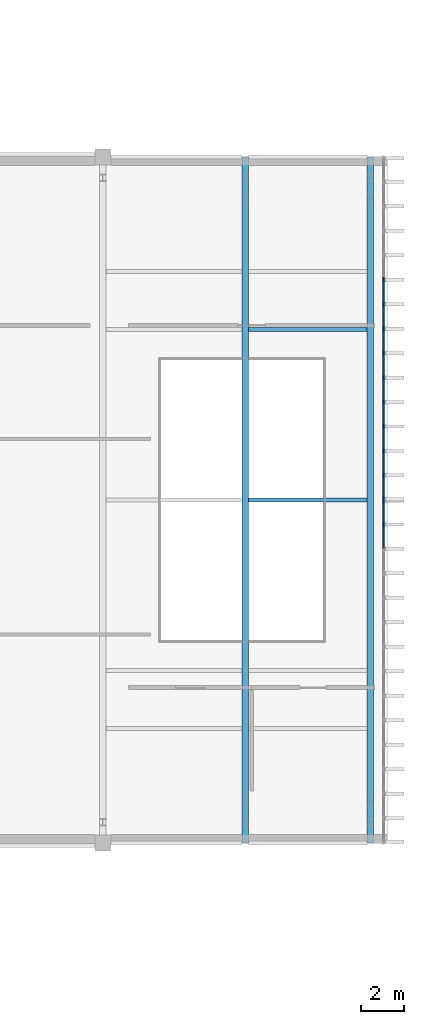
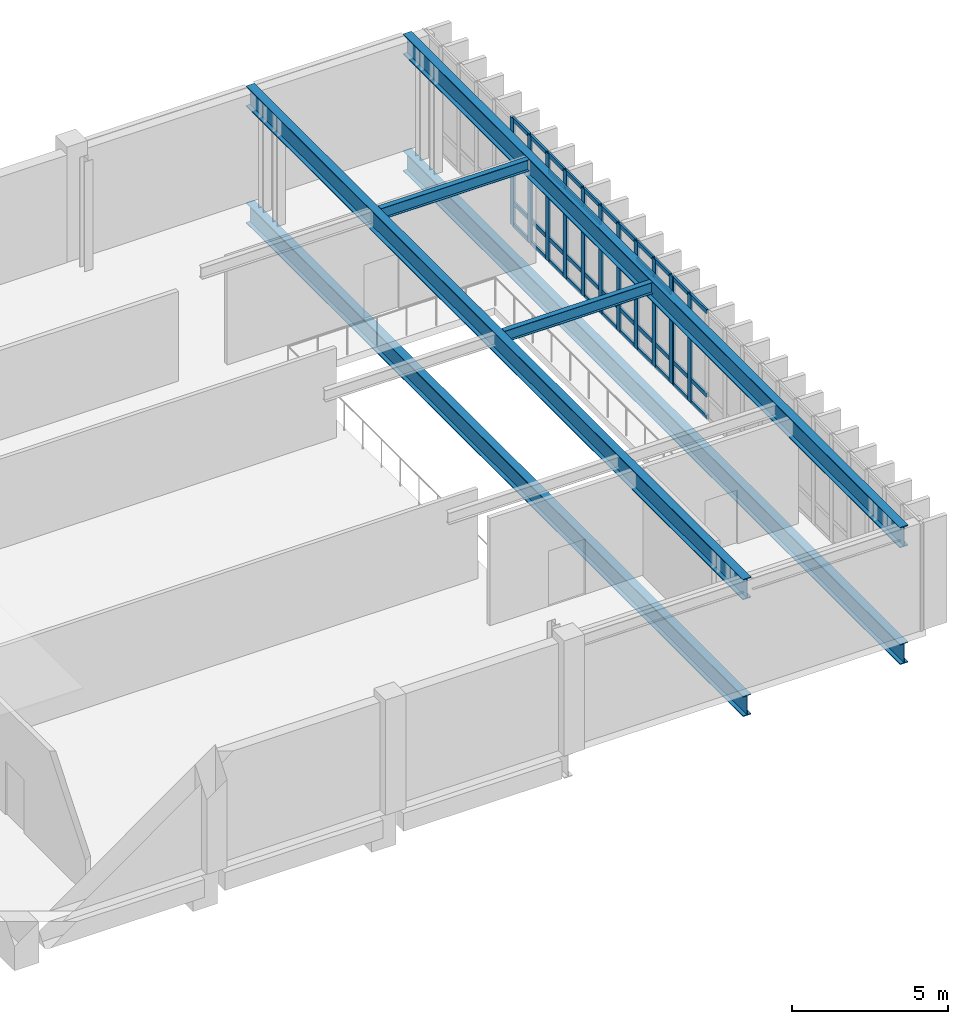
# One storey, part 6 of 23: 56 members, 6 beams, 2 elements without a shape of their own.
"""IFC4 building model written with IfcOpenShell, lengths in metres."""

from ifc_helpers import new_model, si_unit, direction, frame, origin, origin_2d, place, context, subcontext, project, spatial, rectangle, i_section, extrude, material, layer, layer_set, material_profile, profile_set, type_object, element, aggregate, save


model = new_model("IFC4")

# Units and contexts
model_context = context("Model", 3, precision=1e-05, world=origin(), true_north=direction((0.0, 1.0)))
body_context = subcontext(model_context, "Body", "Model", "MODEL_VIEW")
ifc_project = project(units=[si_unit("LENGTHUNIT", "METRE"), si_unit("AREAUNIT", "SQUARE_METRE"), si_unit("VOLUMEUNIT", "CUBIC_METRE"), si_unit("PLANEANGLEUNIT", "RADIAN"), si_unit("MASSUNIT", "GRAM", prefix="KILO")], contexts=[model_context])

# Site, building, storey
site_placement = place(None, origin())
site = spatial("IfcSite", under=ifc_project, at=site_placement, CompositionType="ELEMENT")
building_placement = place(site_placement, origin())
building = spatial("IfcBuilding", under=site, at=building_placement, Name="Kelarvand Opera House", CompositionType="ELEMENT")
storey_placement = place(building_placement, frame((0.0, 0.0, 19.5)))
storey = spatial("IfcBuildingStorey", under=building, at=storey_placement, Name="L04", CompositionType="ELEMENT", Elevation=19.5)

# Curtain wall, members
ifc_material_1 = material(Name="Thermally broken aluminium and low-E glazing", Category="aluminium")
ifc_layer = layer(ifc_material_1, 0.219970703125, Name="Thermally broken aluminium and low-E glazing", Category="aluminium")
ifc_layer_set = layer_set([ifc_layer], Name="Thermally broken aluminium and low-E glazing")
curtain_wall_type = type_object("IfcCurtainWallType", Name="Unitised Low-E Curtain Wall 15886x4200 Mod 1150 CWF-07", PredefinedType="USERDEFINED", material=ifc_layer_set)
curtain_wall_1_placement = place(storey_placement, origin())
curtain_wall_1 = element("IfcCurtainWall", 1, at=curtain_wall_1_placement, inside=storey, type_object=curtain_wall_type, Name="V1 L04 Curtain Wall CWF-07 (25)", ObjectType="UNITISED CURTAIN WALL", PredefinedType="USERDEFINED")
ifc_material_2 = material(Name="Thermally broken anodised aluminium", Category="aluminium")
ifc_material_profile_1 = material_profile(ifc_material_2, rectangle(XDim=0.074951171875, YDim=0.219970703125, at=origin_2d()), Name="ALU MULLION 75x220", Category="aluminium")
ifc_profile_set_1 = profile_set([ifc_material_profile_1], Name="Thermally broken anodised aluminium")
member_type_1 = type_object("IfcMemberType", Name="Curtain Wall Mullion 75x220 Heavy Plaza", PredefinedType="MULLION", material=ifc_profile_set_1)
member_1_placement = place(storey_placement, frame((154.820068359375, 72.71630859375, 0.0), z_axis=(0.0, 0.0, 1.0), x_axis=(1.0, 0.0, 0.0)))
member_1 = element("IfcMember", 2, at=member_1_placement, type_object=member_type_1, Name="CWF-07 mullion 6", PredefinedType="MULLION", context=body_context, shape_type="SweptSolid", body=[
    extrude(rectangle(XDim=0.074951171875, YDim=0.219970703125, at=origin_2d()), origin(), (0.0, 0.0, 1.0), 4.199951171875),
])
member_2_placement = place(storey_placement, frame((154.820068359375, 71.581787109375, 0.0), z_axis=(0.0, 0.0, 1.0), x_axis=(1.0, 0.0, 0.0)))
member_2 = element("IfcMember", 3, at=member_2_placement, type_object=member_type_1, Name="CWF-07 mullion 7", PredefinedType="MULLION", context=body_context, shape_type="SweptSolid", body=[
    extrude(rectangle(XDim=0.074951171875, YDim=0.219970703125, at=origin_2d()), origin(), (0.0, 0.0, 1.0), 4.199951171875),
])
member_3_placement = place(storey_placement, frame((154.820068359375, 70.447021484375, 0.0), z_axis=(0.0, 0.0, 1.0), x_axis=(1.0, 0.0, 0.0)))
member_3 = element("IfcMember", 4, at=member_3_placement, type_object=member_type_1, Name="CWF-07 mullion 8", PredefinedType="MULLION", context=body_context, shape_type="SweptSolid", body=[
    extrude(rectangle(XDim=0.074951171875, YDim=0.219970703125, at=origin_2d()), origin(), (0.0, 0.0, 1.0), 4.199951171875),
])
member_4_placement = place(storey_placement, frame((154.820068359375, 69.312255859375, 0.0), z_axis=(0.0, 0.0, 1.0), x_axis=(1.0, 0.0, 0.0)))
member_4 = element("IfcMember", 5, at=member_4_placement, type_object=member_type_1, Name="CWF-07 mullion 9", PredefinedType="MULLION", context=body_context, shape_type="SweptSolid", body=[
    extrude(rectangle(XDim=0.074951171875, YDim=0.219970703125, at=origin_2d()), origin(), (0.0, 0.0, 1.0), 4.199951171875),
])
member_5_placement = place(storey_placement, frame((154.820068359375, 68.177490234375, 0.0), z_axis=(0.0, 0.0, 1.0), x_axis=(1.0, 0.0, 0.0)))
member_5 = element("IfcMember", 6, at=member_5_placement, type_object=member_type_1, Name="CWF-07 mullion 10", PredefinedType="MULLION", context=body_context, shape_type="SweptSolid", body=[
    extrude(rectangle(XDim=0.074951171875, YDim=0.219970703125, at=origin_2d()), origin(), (0.0, 0.0, 1.0), 4.199951171875),
])
member_6_placement = place(storey_placement, frame((154.820068359375, 67.04296875, 0.0), z_axis=(0.0, 0.0, 1.0), x_axis=(1.0, 0.0, 0.0)))
member_6 = element("IfcMember", 7, at=member_6_placement, type_object=member_type_1, Name="CWF-07 mullion 11", PredefinedType="MULLION", context=body_context, shape_type="SweptSolid", body=[
    extrude(rectangle(XDim=0.074951171875, YDim=0.219970703125, at=origin_2d()), origin(), (0.0, 0.0, 1.0), 4.199951171875),
])
member_7_placement = place(storey_placement, frame((154.820068359375, 65.908203125, 0.0), z_axis=(0.0, 0.0, 1.0), x_axis=(1.0, 0.0, 0.0)))
member_7 = element("IfcMember", 8, at=member_7_placement, type_object=member_type_1, Name="CWF-07 mullion 12", PredefinedType="MULLION", context=body_context, shape_type="SweptSolid", body=[
    extrude(rectangle(XDim=0.074951171875, YDim=0.219970703125, at=origin_2d()), origin(), (0.0, 0.0, 1.0), 4.199951171875),
])
member_8_placement = place(storey_placement, frame((154.820068359375, 64.7734375, 0.0), z_axis=(0.0, 0.0, 1.0), x_axis=(1.0, 0.0, 0.0)))
member_8 = element("IfcMember", 9, at=member_8_placement, type_object=member_type_1, Name="CWF-07 mullion 13", PredefinedType="MULLION", context=body_context, shape_type="SweptSolid", body=[
    extrude(rectangle(XDim=0.074951171875, YDim=0.219970703125, at=origin_2d()), origin(), (0.0, 0.0, 1.0), 4.199951171875),
])
member_9_placement = place(storey_placement, frame((154.820068359375, 63.638671875, 0.0), z_axis=(0.0, 0.0, 1.0), x_axis=(1.0, 0.0, 0.0)))
member_9 = element("IfcMember", 10, at=member_9_placement, type_object=member_type_1, Name="CWF-07 mullion 14", PredefinedType="MULLION", context=body_context, shape_type="SweptSolid", body=[
    extrude(rectangle(XDim=0.074951171875, YDim=0.219970703125, at=origin_2d()), origin(), (0.0, 0.0, 1.0), 4.199951171875),
])
member_10_placement = place(storey_placement, frame((154.820068359375, 62.54150390625, 0.0), z_axis=(0.0, 0.0, 1.0), x_axis=(1.0, 0.0, 0.0)))
member_10 = element("IfcMember", 11, at=member_10_placement, type_object=member_type_1, Name="CWF-07 mullion 15", PredefinedType="MULLION", context=body_context, shape_type="SweptSolid", body=[
    extrude(rectangle(XDim=0.074951171875, YDim=0.219970703125, at=origin_2d()), origin(), (0.0, 0.0, 1.0), 4.199951171875),
])

curtain_wall_2_placement = place(storey_placement, origin())
curtain_wall_2 = element("IfcCurtainWall", 12, at=curtain_wall_2_placement, inside=storey, type_object=curtain_wall_type, Name="V1 L04 Curtain Wall CWF-07 (26)", ObjectType="UNITISED CURTAIN WALL", PredefinedType="USERDEFINED")
member_11_placement = place(storey_placement, frame((154.820068359375, 62.46240234375, 0.0), z_axis=(0.0, 0.0, 1.0), x_axis=(1.0, 0.0, 0.0)))
member_11 = element("IfcMember", 13, at=member_11_placement, type_object=member_type_1, Name="CWF-07 mullion 1", PredefinedType="MULLION", context=body_context, shape_type="SweptSolid", body=[
    extrude(rectangle(XDim=0.074951171875, YDim=0.219970703125, at=origin_2d()), origin(), (0.0, 0.0, 1.0), 4.199951171875),
])
member_12_placement = place(storey_placement, frame((154.820068359375, 61.364990234375, 0.0), z_axis=(0.0, 0.0, 1.0), x_axis=(1.0, 0.0, 0.0)))
member_12 = element("IfcMember", 14, at=member_12_placement, type_object=member_type_1, Name="CWF-07 mullion 2", PredefinedType="MULLION", context=body_context, shape_type="SweptSolid", body=[
    extrude(rectangle(XDim=0.074951171875, YDim=0.219970703125, at=origin_2d()), origin(), (0.0, 0.0, 1.0), 4.199951171875),
])

# Member
ifc_material_profile_2 = material_profile(ifc_material_2, rectangle(XDim=0.074951171875, YDim=0.159912109375, at=origin_2d()), Name="ALU TRANSOM 75x160", Category="aluminium")
ifc_profile_set_2 = profile_set([ifc_material_profile_2], Name="Thermally broken anodised aluminium")
member_type_2 = type_object("IfcMemberType", Name="Curtain Wall Transom 75x160 Heavy Plaza", PredefinedType="USERDEFINED", material=ifc_profile_set_2)
member_13_placement = place(storey_placement, frame((154.820068359375, 72.678955078125, 0.03759765625), z_axis=(0.0, -1.0, 0.0), x_axis=(1.0, 0.0, 0.0)))
member_13 = element("IfcMember", 15, at=member_13_placement, type_object=member_type_2, Name="CWF-07 transom 6.1", ObjectType="TRANSOM", PredefinedType="USERDEFINED", context=body_context, shape_type="SweptSolid", body=[
    extrude(rectangle(XDim=0.074951171875, YDim=0.159912109375, at=origin_2d()), origin(), (0.0, 0.0, 1.0), 1.059814453125),
])

member_14_placement = place(storey_placement, frame((154.820068359375, 72.678955078125, 0.89990234375), z_axis=(0.0, -1.0, 0.0), x_axis=(1.0, 0.0, 0.0)))
member_14 = element("IfcMember", 16, at=member_14_placement, type_object=member_type_2, Name="CWF-07 transom 6.2", ObjectType="TRANSOM", PredefinedType="USERDEFINED", context=body_context, shape_type="SweptSolid", body=[
    extrude(rectangle(XDim=0.074951171875, YDim=0.159912109375, at=origin_2d()), origin(), (0.0, 0.0, 1.0), 1.059814453125),
])

member_15_placement = place(storey_placement, frame((154.820068359375, 72.678955078125, 3.5), z_axis=(0.0, -1.0, 0.0), x_axis=(1.0, 0.0, 0.0)))
member_15 = element("IfcMember", 17, at=member_15_placement, type_object=member_type_2, Name="CWF-07 transom 6.3", ObjectType="TRANSOM", PredefinedType="USERDEFINED", context=body_context, shape_type="SweptSolid", body=[
    extrude(rectangle(XDim=0.074951171875, YDim=0.159912109375, at=origin_2d()), origin(), (0.0, 0.0, 1.0), 1.059814453125),
])

member_16_placement = place(storey_placement, frame((154.820068359375, 72.678955078125, 4.16259765625), z_axis=(0.0, -1.0, 0.0), x_axis=(1.0, 0.0, 0.0)))
member_16 = element("IfcMember", 18, at=member_16_placement, type_object=member_type_2, Name="CWF-07 transom 6.4", ObjectType="TRANSOM", PredefinedType="USERDEFINED", context=body_context, shape_type="SweptSolid", body=[
    extrude(rectangle(XDim=0.074951171875, YDim=0.159912109375, at=origin_2d()), origin(), (0.0, 0.0, 1.0), 1.059814453125),
])

member_17_placement = place(storey_placement, frame((154.820068359375, 71.544189453125, 0.03759765625), z_axis=(0.0, -1.0, 0.0), x_axis=(1.0, 0.0, 0.0)))
member_17 = element("IfcMember", 19, at=member_17_placement, type_object=member_type_2, Name="CWF-07 transom 7.1", ObjectType="TRANSOM", PredefinedType="USERDEFINED", context=body_context, shape_type="SweptSolid", body=[
    extrude(rectangle(XDim=0.074951171875, YDim=0.159912109375, at=origin_2d()), origin(), (0.0, 0.0, 1.0), 1.0595703125),
])

member_18_placement = place(storey_placement, frame((154.820068359375, 71.544189453125, 0.89990234375), z_axis=(0.0, -1.0, 0.0), x_axis=(1.0, 0.0, 0.0)))
member_18 = element("IfcMember", 20, at=member_18_placement, type_object=member_type_2, Name="CWF-07 transom 7.2", ObjectType="TRANSOM", PredefinedType="USERDEFINED", context=body_context, shape_type="SweptSolid", body=[
    extrude(rectangle(XDim=0.074951171875, YDim=0.159912109375, at=origin_2d()), origin(), (0.0, 0.0, 1.0), 1.0595703125),
])

member_19_placement = place(storey_placement, frame((154.820068359375, 71.544189453125, 3.5), z_axis=(0.0, -1.0, 0.0), x_axis=(1.0, 0.0, 0.0)))
member_19 = element("IfcMember", 21, at=member_19_placement, type_object=member_type_2, Name="CWF-07 transom 7.3", ObjectType="TRANSOM", PredefinedType="USERDEFINED", context=body_context, shape_type="SweptSolid", body=[
    extrude(rectangle(XDim=0.074951171875, YDim=0.159912109375, at=origin_2d()), origin(), (0.0, 0.0, 1.0), 1.0595703125),
])

member_20_placement = place(storey_placement, frame((154.820068359375, 71.544189453125, 4.16259765625), z_axis=(0.0, -1.0, 0.0), x_axis=(1.0, 0.0, 0.0)))
member_20 = element("IfcMember", 22, at=member_20_placement, type_object=member_type_2, Name="CWF-07 transom 7.4", ObjectType="TRANSOM", PredefinedType="USERDEFINED", context=body_context, shape_type="SweptSolid", body=[
    extrude(rectangle(XDim=0.074951171875, YDim=0.159912109375, at=origin_2d()), origin(), (0.0, 0.0, 1.0), 1.0595703125),
])

member_21_placement = place(storey_placement, frame((154.820068359375, 70.409423828125, 0.03759765625), z_axis=(0.0, -1.0, 0.0), x_axis=(1.0, 0.0, 0.0)))
member_21 = element("IfcMember", 23, at=member_21_placement, type_object=member_type_2, Name="CWF-07 transom 8.1", ObjectType="TRANSOM", PredefinedType="USERDEFINED", context=body_context, shape_type="SweptSolid", body=[
    extrude(rectangle(XDim=0.074951171875, YDim=0.159912109375, at=origin_2d()), origin(), (0.0, 0.0, 1.0), 1.0595703125),
])

member_22_placement = place(storey_placement, frame((154.820068359375, 70.409423828125, 0.89990234375), z_axis=(0.0, -1.0, 0.0), x_axis=(1.0, 0.0, 0.0)))
member_22 = element("IfcMember", 24, at=member_22_placement, type_object=member_type_2, Name="CWF-07 transom 8.2", ObjectType="TRANSOM", PredefinedType="USERDEFINED", context=body_context, shape_type="SweptSolid", body=[
    extrude(rectangle(XDim=0.074951171875, YDim=0.159912109375, at=origin_2d()), origin(), (0.0, 0.0, 1.0), 1.0595703125),
])

member_23_placement = place(storey_placement, frame((154.820068359375, 70.409423828125, 3.5), z_axis=(0.0, -1.0, 0.0), x_axis=(1.0, 0.0, 0.0)))
member_23 = element("IfcMember", 25, at=member_23_placement, type_object=member_type_2, Name="CWF-07 transom 8.3", ObjectType="TRANSOM", PredefinedType="USERDEFINED", context=body_context, shape_type="SweptSolid", body=[
    extrude(rectangle(XDim=0.074951171875, YDim=0.159912109375, at=origin_2d()), origin(), (0.0, 0.0, 1.0), 1.0595703125),
])

member_24_placement = place(storey_placement, frame((154.820068359375, 70.409423828125, 4.16259765625), z_axis=(0.0, -1.0, 0.0), x_axis=(1.0, 0.0, 0.0)))
member_24 = element("IfcMember", 26, at=member_24_placement, type_object=member_type_2, Name="CWF-07 transom 8.4", ObjectType="TRANSOM", PredefinedType="USERDEFINED", context=body_context, shape_type="SweptSolid", body=[
    extrude(rectangle(XDim=0.074951171875, YDim=0.159912109375, at=origin_2d()), origin(), (0.0, 0.0, 1.0), 1.0595703125),
])

member_25_placement = place(storey_placement, frame((154.820068359375, 69.27490234375, 0.03759765625), z_axis=(0.0, -1.0, 0.0), x_axis=(1.0, 0.0, 0.0)))
member_25 = element("IfcMember", 27, at=member_25_placement, type_object=member_type_2, Name="CWF-07 transom 9.1", ObjectType="TRANSOM", PredefinedType="USERDEFINED", context=body_context, shape_type="SweptSolid", body=[
    extrude(rectangle(XDim=0.074951171875, YDim=0.159912109375, at=origin_2d()), origin(), (0.0, 0.0, 1.0), 1.059814453125),
])

member_26_placement = place(storey_placement, frame((154.820068359375, 69.27490234375, 0.89990234375), z_axis=(0.0, -1.0, 0.0), x_axis=(1.0, 0.0, 0.0)))
member_26 = element("IfcMember", 28, at=member_26_placement, type_object=member_type_2, Name="CWF-07 transom 9.2", ObjectType="TRANSOM", PredefinedType="USERDEFINED", context=body_context, shape_type="SweptSolid", body=[
    extrude(rectangle(XDim=0.074951171875, YDim=0.159912109375, at=origin_2d()), origin(), (0.0, 0.0, 1.0), 1.059814453125),
])

member_27_placement = place(storey_placement, frame((154.820068359375, 69.27490234375, 3.5), z_axis=(0.0, -1.0, 0.0), x_axis=(1.0, 0.0, 0.0)))
member_27 = element("IfcMember", 29, at=member_27_placement, type_object=member_type_2, Name="CWF-07 transom 9.3", ObjectType="TRANSOM", PredefinedType="USERDEFINED", context=body_context, shape_type="SweptSolid", body=[
    extrude(rectangle(XDim=0.074951171875, YDim=0.159912109375, at=origin_2d()), origin(), (0.0, 0.0, 1.0), 1.059814453125),
])

member_28_placement = place(storey_placement, frame((154.820068359375, 69.27490234375, 4.16259765625), z_axis=(0.0, -1.0, 0.0), x_axis=(1.0, 0.0, 0.0)))
member_28 = element("IfcMember", 30, at=member_28_placement, type_object=member_type_2, Name="CWF-07 transom 9.4", ObjectType="TRANSOM", PredefinedType="USERDEFINED", context=body_context, shape_type="SweptSolid", body=[
    extrude(rectangle(XDim=0.074951171875, YDim=0.159912109375, at=origin_2d()), origin(), (0.0, 0.0, 1.0), 1.059814453125),
])

member_29_placement = place(storey_placement, frame((154.820068359375, 68.14013671875, 0.03759765625), z_axis=(0.0, -1.0, 0.0), x_axis=(1.0, 0.0, 0.0)))
member_29 = element("IfcMember", 31, at=member_29_placement, type_object=member_type_2, Name="CWF-07 transom 10.1", ObjectType="TRANSOM", PredefinedType="USERDEFINED", context=body_context, shape_type="SweptSolid", body=[
    extrude(rectangle(XDim=0.074951171875, YDim=0.159912109375, at=origin_2d()), origin(), (0.0, 0.0, 1.0), 1.059814453125),
])

member_30_placement = place(storey_placement, frame((154.820068359375, 68.14013671875, 0.89990234375), z_axis=(0.0, -1.0, 0.0), x_axis=(1.0, 0.0, 0.0)))
member_30 = element("IfcMember", 32, at=member_30_placement, type_object=member_type_2, Name="CWF-07 transom 10.2", ObjectType="TRANSOM", PredefinedType="USERDEFINED", context=body_context, shape_type="SweptSolid", body=[
    extrude(rectangle(XDim=0.074951171875, YDim=0.159912109375, at=origin_2d()), origin(), (0.0, 0.0, 1.0), 1.059814453125),
])

member_31_placement = place(storey_placement, frame((154.820068359375, 68.14013671875, 3.5), z_axis=(0.0, -1.0, 0.0), x_axis=(1.0, 0.0, 0.0)))
member_31 = element("IfcMember", 33, at=member_31_placement, type_object=member_type_2, Name="CWF-07 transom 10.3", ObjectType="TRANSOM", PredefinedType="USERDEFINED", context=body_context, shape_type="SweptSolid", body=[
    extrude(rectangle(XDim=0.074951171875, YDim=0.159912109375, at=origin_2d()), origin(), (0.0, 0.0, 1.0), 1.059814453125),
])

member_32_placement = place(storey_placement, frame((154.820068359375, 68.14013671875, 4.16259765625), z_axis=(0.0, -1.0, 0.0), x_axis=(1.0, 0.0, 0.0)))
member_32 = element("IfcMember", 34, at=member_32_placement, type_object=member_type_2, Name="CWF-07 transom 10.4", ObjectType="TRANSOM", PredefinedType="USERDEFINED", context=body_context, shape_type="SweptSolid", body=[
    extrude(rectangle(XDim=0.074951171875, YDim=0.159912109375, at=origin_2d()), origin(), (0.0, 0.0, 1.0), 1.059814453125),
])

member_33_placement = place(storey_placement, frame((154.820068359375, 67.00537109375, 0.03759765625), z_axis=(0.0, -1.0, 0.0), x_axis=(1.0, 0.0, 0.0)))
member_33 = element("IfcMember", 35, at=member_33_placement, type_object=member_type_2, Name="CWF-07 transom 11.1", ObjectType="TRANSOM", PredefinedType="USERDEFINED", context=body_context, shape_type="SweptSolid", body=[
    extrude(rectangle(XDim=0.074951171875, YDim=0.159912109375, at=origin_2d()), origin(), (0.0, 0.0, 1.0), 1.059814453125),
])

member_34_placement = place(storey_placement, frame((154.820068359375, 67.00537109375, 0.89990234375), z_axis=(0.0, -1.0, 0.0), x_axis=(1.0, 0.0, 0.0)))
member_34 = element("IfcMember", 36, at=member_34_placement, type_object=member_type_2, Name="CWF-07 transom 11.2", ObjectType="TRANSOM", PredefinedType="USERDEFINED", context=body_context, shape_type="SweptSolid", body=[
    extrude(rectangle(XDim=0.074951171875, YDim=0.159912109375, at=origin_2d()), origin(), (0.0, 0.0, 1.0), 1.059814453125),
])

member_35_placement = place(storey_placement, frame((154.820068359375, 67.00537109375, 3.5), z_axis=(0.0, -1.0, 0.0), x_axis=(1.0, 0.0, 0.0)))
member_35 = element("IfcMember", 37, at=member_35_placement, type_object=member_type_2, Name="CWF-07 transom 11.3", ObjectType="TRANSOM", PredefinedType="USERDEFINED", context=body_context, shape_type="SweptSolid", body=[
    extrude(rectangle(XDim=0.074951171875, YDim=0.159912109375, at=origin_2d()), origin(), (0.0, 0.0, 1.0), 1.059814453125),
])

member_36_placement = place(storey_placement, frame((154.820068359375, 67.00537109375, 4.16259765625), z_axis=(0.0, -1.0, 0.0), x_axis=(1.0, 0.0, 0.0)))
member_36 = element("IfcMember", 38, at=member_36_placement, type_object=member_type_2, Name="CWF-07 transom 11.4", ObjectType="TRANSOM", PredefinedType="USERDEFINED", context=body_context, shape_type="SweptSolid", body=[
    extrude(rectangle(XDim=0.074951171875, YDim=0.159912109375, at=origin_2d()), origin(), (0.0, 0.0, 1.0), 1.059814453125),
])

member_37_placement = place(storey_placement, frame((154.820068359375, 65.87060546875, 0.03759765625), z_axis=(0.0, -1.0, 0.0), x_axis=(1.0, 0.0, 0.0)))
member_37 = element("IfcMember", 39, at=member_37_placement, type_object=member_type_2, Name="CWF-07 transom 12.1", ObjectType="TRANSOM", PredefinedType="USERDEFINED", context=body_context, shape_type="SweptSolid", body=[
    extrude(rectangle(XDim=0.074951171875, YDim=0.159912109375, at=origin_2d()), origin(), (0.0, 0.0, 1.0), 1.0595703125),
])

member_38_placement = place(storey_placement, frame((154.820068359375, 65.87060546875, 0.89990234375), z_axis=(0.0, -1.0, 0.0), x_axis=(1.0, 0.0, 0.0)))
member_38 = element("IfcMember", 40, at=member_38_placement, type_object=member_type_2, Name="CWF-07 transom 12.2", ObjectType="TRANSOM", PredefinedType="USERDEFINED", context=body_context, shape_type="SweptSolid", body=[
    extrude(rectangle(XDim=0.074951171875, YDim=0.159912109375, at=origin_2d()), origin(), (0.0, 0.0, 1.0), 1.0595703125),
])

member_39_placement = place(storey_placement, frame((154.820068359375, 65.87060546875, 3.5), z_axis=(0.0, -1.0, 0.0), x_axis=(1.0, 0.0, 0.0)))
member_39 = element("IfcMember", 41, at=member_39_placement, type_object=member_type_2, Name="CWF-07 transom 12.3", ObjectType="TRANSOM", PredefinedType="USERDEFINED", context=body_context, shape_type="SweptSolid", body=[
    extrude(rectangle(XDim=0.074951171875, YDim=0.159912109375, at=origin_2d()), origin(), (0.0, 0.0, 1.0), 1.0595703125),
])

member_40_placement = place(storey_placement, frame((154.820068359375, 65.87060546875, 4.16259765625), z_axis=(0.0, -1.0, 0.0), x_axis=(1.0, 0.0, 0.0)))
member_40 = element("IfcMember", 42, at=member_40_placement, type_object=member_type_2, Name="CWF-07 transom 12.4", ObjectType="TRANSOM", PredefinedType="USERDEFINED", context=body_context, shape_type="SweptSolid", body=[
    extrude(rectangle(XDim=0.074951171875, YDim=0.159912109375, at=origin_2d()), origin(), (0.0, 0.0, 1.0), 1.0595703125),
])

member_41_placement = place(storey_placement, frame((154.820068359375, 64.73583984375, 0.03759765625), z_axis=(0.0, -1.0, 0.0), x_axis=(1.0, 0.0, 0.0)))
member_41 = element("IfcMember", 43, at=member_41_placement, type_object=member_type_2, Name="CWF-07 transom 13.1", ObjectType="TRANSOM", PredefinedType="USERDEFINED", context=body_context, shape_type="SweptSolid", body=[
    extrude(rectangle(XDim=0.074951171875, YDim=0.159912109375, at=origin_2d()), origin(), (0.0, 0.0, 1.0), 1.0595703125),
])

member_42_placement = place(storey_placement, frame((154.820068359375, 64.73583984375, 0.89990234375), z_axis=(0.0, -1.0, 0.0), x_axis=(1.0, 0.0, 0.0)))
member_42 = element("IfcMember", 44, at=member_42_placement, type_object=member_type_2, Name="CWF-07 transom 13.2", ObjectType="TRANSOM", PredefinedType="USERDEFINED", context=body_context, shape_type="SweptSolid", body=[
    extrude(rectangle(XDim=0.074951171875, YDim=0.159912109375, at=origin_2d()), origin(), (0.0, 0.0, 1.0), 1.0595703125),
])

member_43_placement = place(storey_placement, frame((154.820068359375, 64.73583984375, 3.5), z_axis=(0.0, -1.0, 0.0), x_axis=(1.0, 0.0, 0.0)))
member_43 = element("IfcMember", 45, at=member_43_placement, type_object=member_type_2, Name="CWF-07 transom 13.3", ObjectType="TRANSOM", PredefinedType="USERDEFINED", context=body_context, shape_type="SweptSolid", body=[
    extrude(rectangle(XDim=0.074951171875, YDim=0.159912109375, at=origin_2d()), origin(), (0.0, 0.0, 1.0), 1.0595703125),
])

member_44_placement = place(storey_placement, frame((154.820068359375, 64.73583984375, 4.16259765625), z_axis=(0.0, -1.0, 0.0), x_axis=(1.0, 0.0, 0.0)))
member_44 = element("IfcMember", 46, at=member_44_placement, type_object=member_type_2, Name="CWF-07 transom 13.4", ObjectType="TRANSOM", PredefinedType="USERDEFINED", context=body_context, shape_type="SweptSolid", body=[
    extrude(rectangle(XDim=0.074951171875, YDim=0.159912109375, at=origin_2d()), origin(), (0.0, 0.0, 1.0), 1.0595703125),
])

member_45_placement = place(storey_placement, frame((154.820068359375, 63.601318359375, 0.03759765625), z_axis=(0.0, -1.0, 0.0), x_axis=(1.0, 0.0, 0.0)))
member_45 = element("IfcMember", 47, at=member_45_placement, type_object=member_type_2, Name="CWF-07 transom 14.1", ObjectType="TRANSOM", PredefinedType="USERDEFINED", context=body_context, shape_type="SweptSolid", body=[
    extrude(rectangle(XDim=0.074951171875, YDim=0.159912109375, at=origin_2d()), origin(), (0.0, 0.0, 1.0), 1.022216796875),
])

member_46_placement = place(storey_placement, frame((154.820068359375, 63.601318359375, 0.89990234375), z_axis=(0.0, -1.0, 0.0), x_axis=(1.0, 0.0, 0.0)))
member_46 = element("IfcMember", 48, at=member_46_placement, type_object=member_type_2, Name="CWF-07 transom 14.2", ObjectType="TRANSOM", PredefinedType="USERDEFINED", context=body_context, shape_type="SweptSolid", body=[
    extrude(rectangle(XDim=0.074951171875, YDim=0.159912109375, at=origin_2d()), origin(), (0.0, 0.0, 1.0), 1.022216796875),
])

member_47_placement = place(storey_placement, frame((154.820068359375, 63.601318359375, 3.5), z_axis=(0.0, -1.0, 0.0), x_axis=(1.0, 0.0, 0.0)))
member_47 = element("IfcMember", 49, at=member_47_placement, type_object=member_type_2, Name="CWF-07 transom 14.3", ObjectType="TRANSOM", PredefinedType="USERDEFINED", context=body_context, shape_type="SweptSolid", body=[
    extrude(rectangle(XDim=0.074951171875, YDim=0.159912109375, at=origin_2d()), origin(), (0.0, 0.0, 1.0), 1.022216796875),
])

member_48_placement = place(storey_placement, frame((154.820068359375, 63.601318359375, 4.16259765625), z_axis=(0.0, -1.0, 0.0), x_axis=(1.0, 0.0, 0.0)))
member_48 = element("IfcMember", 50, at=member_48_placement, type_object=member_type_2, Name="CWF-07 transom 14.4", ObjectType="TRANSOM", PredefinedType="USERDEFINED", context=body_context, shape_type="SweptSolid", body=[
    extrude(rectangle(XDim=0.074951171875, YDim=0.159912109375, at=origin_2d()), origin(), (0.0, 0.0, 1.0), 1.022216796875),
])

aggregate(curtain_wall_1, [member_1, member_2, member_3, member_4, member_5, member_6, member_7, member_8, member_9, member_10, member_13, member_14, member_15, member_16, member_17, member_18, member_19, member_20, member_21, member_22, member_23, member_24, member_25, member_26, member_27, member_28, member_29, member_30, member_31, member_32, member_33, member_34, member_35, member_36, member_37, member_38, member_39, member_40, member_41, member_42, member_43, member_44, member_45, member_46, member_47, member_48])

member_49_placement = place(storey_placement, frame((154.820068359375, 62.425048828125, 0.03759765625), z_axis=(0.0, -1.0, 0.0), x_axis=(1.0, 0.0, 0.0)))
member_49 = element("IfcMember", 51, at=member_49_placement, type_object=member_type_2, Name="CWF-07 transom 1.1", ObjectType="TRANSOM", PredefinedType="USERDEFINED", context=body_context, shape_type="SweptSolid", body=[
    extrude(rectangle(XDim=0.074951171875, YDim=0.159912109375, at=origin_2d()), origin(), (0.0, 0.0, 1.0), 1.0224609375),
])

member_50_placement = place(storey_placement, frame((154.820068359375, 62.425048828125, 0.89990234375), z_axis=(0.0, -1.0, 0.0), x_axis=(1.0, 0.0, 0.0)))
member_50 = element("IfcMember", 52, at=member_50_placement, type_object=member_type_2, Name="CWF-07 transom 1.2", ObjectType="TRANSOM", PredefinedType="USERDEFINED", context=body_context, shape_type="SweptSolid", body=[
    extrude(rectangle(XDim=0.074951171875, YDim=0.159912109375, at=origin_2d()), origin(), (0.0, 0.0, 1.0), 1.0224609375),
])

member_51_placement = place(storey_placement, frame((154.820068359375, 62.425048828125, 3.5), z_axis=(0.0, -1.0, 0.0), x_axis=(1.0, 0.0, 0.0)))
member_51 = element("IfcMember", 53, at=member_51_placement, type_object=member_type_2, Name="CWF-07 transom 1.3", ObjectType="TRANSOM", PredefinedType="USERDEFINED", context=body_context, shape_type="SweptSolid", body=[
    extrude(rectangle(XDim=0.074951171875, YDim=0.159912109375, at=origin_2d()), origin(), (0.0, 0.0, 1.0), 1.0224609375),
])

member_52_placement = place(storey_placement, frame((154.820068359375, 62.425048828125, 4.16259765625), z_axis=(0.0, -1.0, 0.0), x_axis=(1.0, 0.0, 0.0)))
member_52 = element("IfcMember", 54, at=member_52_placement, type_object=member_type_2, Name="CWF-07 transom 1.4", ObjectType="TRANSOM", PredefinedType="USERDEFINED", context=body_context, shape_type="SweptSolid", body=[
    extrude(rectangle(XDim=0.074951171875, YDim=0.159912109375, at=origin_2d()), origin(), (0.0, 0.0, 1.0), 1.0224609375),
])

member_53_placement = place(storey_placement, frame((154.820068359375, 61.327392578125, 0.03759765625), z_axis=(0.0, -1.0, 0.0), x_axis=(1.0, 0.0, 0.0)))
member_53 = element("IfcMember", 55, at=member_53_placement, type_object=member_type_2, Name="CWF-07 transom 2.1", ObjectType="TRANSOM", PredefinedType="USERDEFINED", context=body_context, shape_type="SweptSolid", body=[
    extrude(rectangle(XDim=0.074951171875, YDim=0.159912109375, at=origin_2d()), origin(), (0.0, 0.0, 1.0), 1.059814453125),
])

member_54_placement = place(storey_placement, frame((154.820068359375, 61.327392578125, 0.89990234375), z_axis=(0.0, -1.0, 0.0), x_axis=(1.0, 0.0, 0.0)))
member_54 = element("IfcMember", 56, at=member_54_placement, type_object=member_type_2, Name="CWF-07 transom 2.2", ObjectType="TRANSOM", PredefinedType="USERDEFINED", context=body_context, shape_type="SweptSolid", body=[
    extrude(rectangle(XDim=0.074951171875, YDim=0.159912109375, at=origin_2d()), origin(), (0.0, 0.0, 1.0), 1.059814453125),
])

member_55_placement = place(storey_placement, frame((154.820068359375, 61.327392578125, 3.5), z_axis=(0.0, -1.0, 0.0), x_axis=(1.0, 0.0, 0.0)))
member_55 = element("IfcMember", 57, at=member_55_placement, type_object=member_type_2, Name="CWF-07 transom 2.3", ObjectType="TRANSOM", PredefinedType="USERDEFINED", context=body_context, shape_type="SweptSolid", body=[
    extrude(rectangle(XDim=0.074951171875, YDim=0.159912109375, at=origin_2d()), origin(), (0.0, 0.0, 1.0), 1.059814453125),
])

member_56_placement = place(storey_placement, frame((154.820068359375, 61.327392578125, 4.16259765625), z_axis=(0.0, -1.0, 0.0), x_axis=(1.0, 0.0, 0.0)))
member_56 = element("IfcMember", 58, at=member_56_placement, type_object=member_type_2, Name="CWF-07 transom 2.4", ObjectType="TRANSOM", PredefinedType="USERDEFINED", context=body_context, shape_type="SweptSolid", body=[
    extrude(rectangle(XDim=0.074951171875, YDim=0.159912109375, at=origin_2d()), origin(), (0.0, 0.0, 1.0), 1.059814453125),
])

aggregate(curtain_wall_2, [member_11, member_12, member_49, member_50, member_51, member_52, member_53, member_54, member_55, member_56])

# Beams
ifc_material_3 = material(Name="Steel S355", Category="steel")
ifc_material_profile_3 = material_profile(ifc_material_3, i_section(OverallWidth=0.300048828125, OverallDepth=0.800048828125, WebThickness=0.017578125, FlangeThickness=0.032958984375, at=origin_2d()), Name="HEB 800", Category="steel")
ifc_profile_set_3 = profile_set([ifc_material_profile_3], Name="Steel S355")
beam_type_1 = type_object("IfcBeamType", Name="Structural Beam HEB 800 BM-HEB800", PredefinedType="BEAM", material=ifc_profile_set_3)
for number, where, z_axis, x_axis, name in (
    (59, (148.39990234375, 46.60009765625, -0.679931640625), (0.0, 1.0, 0.0), (-1.0, 0.0, 0.0), "Cantilever Transverse Girder L04 at X=148.4"),
    (60, (154.199951171875, 46.60009765625, -0.679931640625), (0.0, 1.0, 0.0), (-1.0, 0.0, 0.0), "Cantilever Transverse Girder L04 at X=154.2"),
    (61, (148.39990234375, 46.60009765625, 3.8798828125), (0.0, 1.0, 0.0), (-1.0, 0.0, 0.0), "Cantilever Box Roof Transverse Girder X=148.4"),
    (62, (154.199951171875, 46.60009765625, 3.8798828125), (0.0, 1.0, 0.0), (-1.0, 0.0, 0.0), "Cantilever Box Roof Transverse Girder X=154.2"),
):
    element("IfcBeam", number, at=place(storey_placement, frame(where, z_axis=z_axis, x_axis=x_axis)), inside=storey, type_object=beam_type_1, Name=name, PredefinedType="BEAM", context=body_context, shape_type="SweptSolid", body=[
        extrude(i_section(OverallWidth=0.300048828125, OverallDepth=0.800048828125, WebThickness=0.017578125, FlangeThickness=0.032958984375, at=origin_2d()), origin(), (0.0, 0.0, 1.0), 31.7998046875),
    ])
ifc_material_profile_4 = material_profile(ifc_material_3, i_section(OverallWidth=0.18994140625, OverallDepth=0.449951171875, WebThickness=0.009521484375, FlangeThickness=0.0146484375, at=origin_2d()), Name="IPE 450", Category="steel")
ifc_profile_set_4 = profile_set([ifc_material_profile_4], Name="Steel S355")
beam_type_2 = type_object("IfcBeamType", Name="Structural Joist IPE 450 JS-IPE450", PredefinedType="JOIST", material=ifc_profile_set_4)
for number, where, z_axis, x_axis, name in (
    (63, (148.56005859375, 62.5, 4.054931640625), (1.0, 0.0, 0.0), (0.0, 1.0, 0.0), "V1 L04 Beam JS-IPE450"),
    (64, (148.56005859375, 70.39990234375, 4.054931640625), (1.0, 0.0, 0.0), (0.0, 1.0, 0.0), "V1 L04 Beam JS-IPE450"),
):
    element("IfcBeam", number, at=place(storey_placement, frame(where, z_axis=z_axis, x_axis=x_axis)), inside=storey, type_object=beam_type_2, Name=name, PredefinedType="JOIST", context=body_context, shape_type="SweptSolid", body=[
        extrude(i_section(OverallWidth=0.18994140625, OverallDepth=0.449951171875, WebThickness=0.009521484375, FlangeThickness=0.0146484375, at=origin_2d()), origin(), (0.0, 0.0, 1.0), 5.47998046875),
    ])

save(model, "model.ifc")
